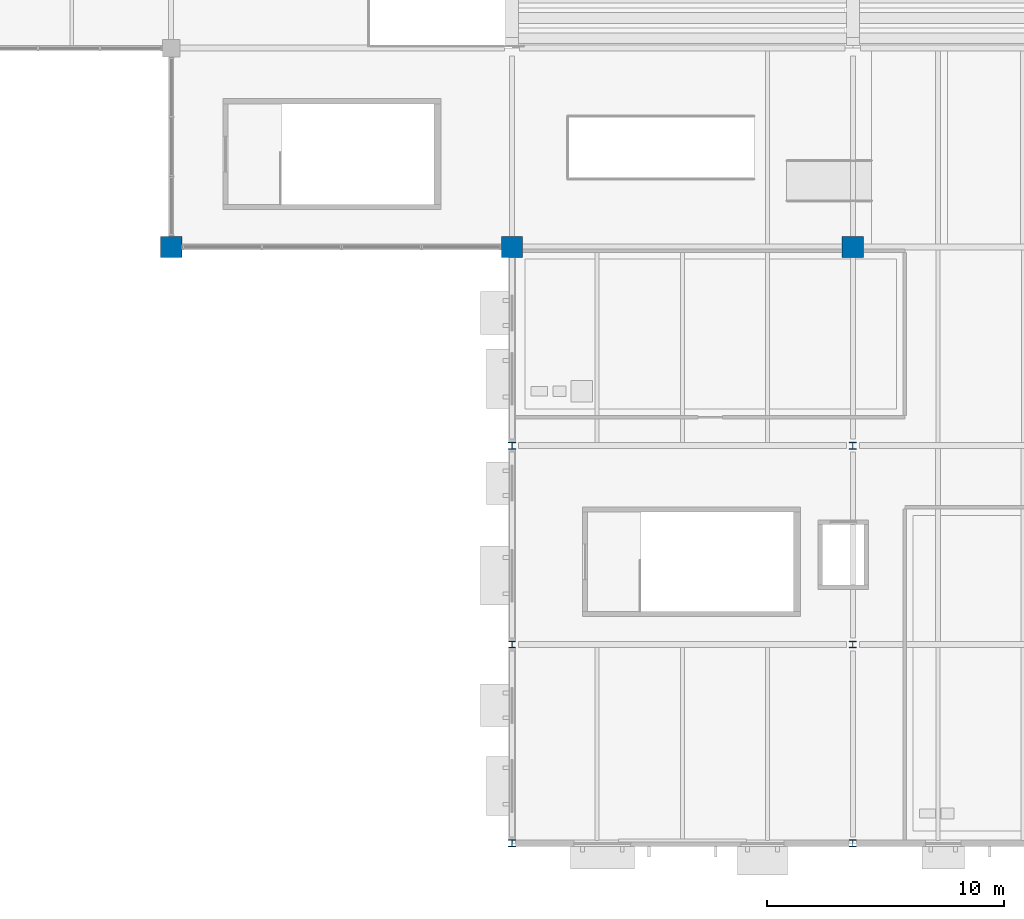
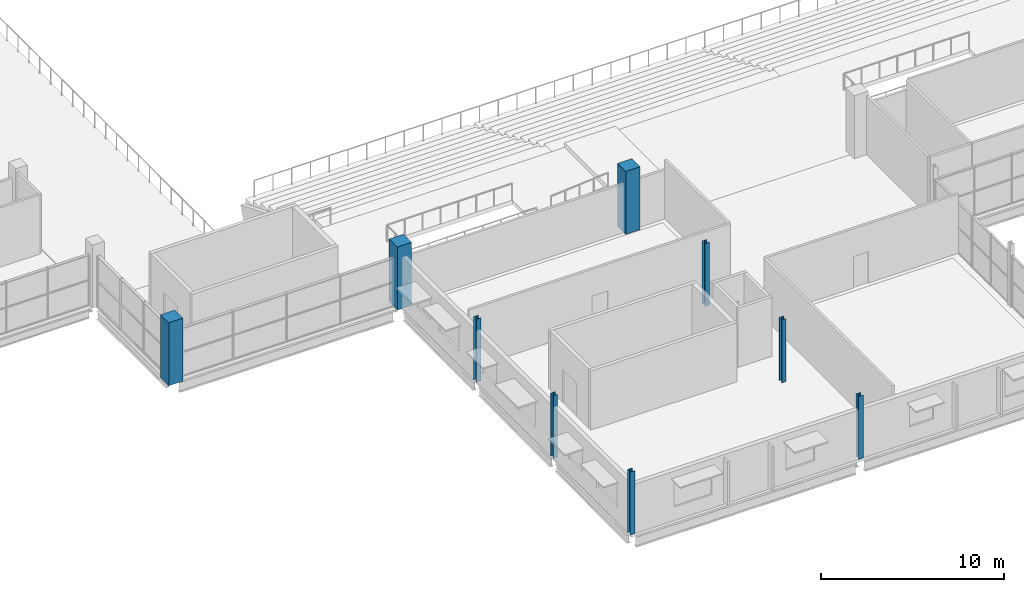
# One storey, part 1 of 161: 9 columns.
"""IFC4 building model written with IfcOpenShell, lengths in metres."""

import ifcopenshell
import ifcopenshell.guid

model = None  # the IFC model being written
_history = None  # IfcOwnerHistory: only IFC2X3 demands one
_inside = {}  # id of a spatial element -> (the spatial element, [elements in it])
_under = {}  # id of a project, library or spatial element -> (it, [spatial elements below it])
_declared = {}  # id of a project -> (the project, [libraries it declares])
_typed = {}  # id of a type object -> (the type object, [elements of that type])
_made_of = {}  # id of a material, layer set ... -> (it, [elements and type objects made of it])


def new_model(schema):
    """Start an empty IFC model of exactly this schema.

    Asked for "IFC4X3", IfcOpenShell would pick the latest addendum, in which some entities
    have other attributes; the version numbers below select the first issue.
    IFC2X3 requires an IfcOwnerHistory on every rooted entity: one is made here for all.
    """
    global model, _history
    if schema == "IFC4X3":
        model = ifcopenshell.file(schema_version=(4, 3, 0, 0))
    else:
        model = ifcopenshell.file(schema=schema)
    _inside.clear()
    _under.clear()
    _declared.clear()
    _typed.clear()
    _made_of.clear()
    _history = None
    if model.schema == "IFC2X3":
        org = make("IfcOrganization", Name="unknown")
        user = make(
            "IfcPersonAndOrganization",
            ThePerson=make("IfcPerson", FamilyName="unknown"),
            TheOrganization=org,
        )
        app = make(
            "IfcApplication",
            ApplicationDeveloper=org,
            Version="unknown",
            ApplicationFullName="unknown",
            ApplicationIdentifier="unknown",
        )
        _history = make(
            "IfcOwnerHistory",
            OwningUser=user,
            OwningApplication=app,
            ChangeAction="ADDED",
            CreationDate=0,
        )
    return model


def make(cls, **values):
    """One entity of the class cls with the attributes given. An attribute that is None is left unset."""
    return model.create_entity(
        cls, **{name: value for name, value in values.items() if value is not None}
    )


def rooted(cls, **values):
    """An entity with a GlobalId (a new one), such as an element, a storey or a relation."""
    return make(cls, GlobalId=ifcopenshell.guid.new(), OwnerHistory=_history, **values)


def si_unit(unit_type, name, prefix=None):
    """IfcSIUnit, for example si_unit("LENGTHUNIT", "METRE", prefix="MILLI")."""
    return make("IfcSIUnit", UnitType=unit_type, Prefix=prefix, Name=name)


def assignment(units):
    """IfcUnitAssignment: the units of a project."""
    return None if units is None else make("IfcUnitAssignment", Units=units)


def point(xyz):
    """IfcCartesianPoint."""
    return None if xyz is None else make("IfcCartesianPoint", Coordinates=xyz)


def direction(xyz):
    """IfcDirection."""
    return None if xyz is None else make("IfcDirection", DirectionRatios=xyz)


def frame(location, z_axis=None, x_axis=None):
    """IfcAxis2Placement3D, a coordinate frame: its origin and axes. An axis left out is left unset."""
    return make(
        "IfcAxis2Placement3D",
        Location=point(location),
        Axis=direction(z_axis),
        RefDirection=direction(x_axis),
    )


def frame_2d(location, x_axis=None):
    """IfcAxis2Placement2D, a coordinate frame in the plane: its origin and x axis."""
    return make(
        "IfcAxis2Placement2D", Location=point(location), RefDirection=direction(x_axis)
    )


def origin():
    """The frame at (0, 0, 0) with its axes left unset."""
    return frame((0.0, 0.0, 0.0))


def origin_2d():
    """The frame at (0, 0) in the plane with its x axis left unset."""
    return frame_2d((0.0, 0.0))


def place(relative_to, where):
    """IfcLocalPlacement: puts the frame where relative to a parent placement (None: the world)."""
    return make(
        "IfcLocalPlacement", PlacementRelTo=relative_to, RelativePlacement=where
    )


def context(
    kind, dimensions, precision=None, world=None, true_north=None, identifier=None
):
    """IfcGeometricRepresentationContext, for example the 3D "Model" context."""
    return make(
        "IfcGeometricRepresentationContext",
        ContextIdentifier=identifier,
        ContextType=kind,
        CoordinateSpaceDimension=dimensions,
        Precision=precision,
        WorldCoordinateSystem=world,
        TrueNorth=true_north,
    )


def subcontext(parent, identifier, kind, view, scale=None):
    """IfcGeometricRepresentationSubContext, for example "Body" below "Model"."""
    return make(
        "IfcGeometricRepresentationSubContext",
        ContextIdentifier=identifier,
        ContextType=kind,
        ParentContext=parent,
        TargetScale=scale,
        TargetView=view,
    )


def project(units=None, contexts=None):
    """IfcProject with its units and contexts."""
    return rooted(
        "IfcProject",
        Name="project",
        RepresentationContexts=contexts,
        UnitsInContext=assignment(units),
    )


def spatial(cls, under=None, at=None, **own):
    """A site, building, storey or space (cls), placed at a placement, below another one or the project."""
    s = rooted(cls, ObjectPlacement=at, **own)
    if under is not None:
        _under.setdefault(under.id(), (under, []))[1].append(s)
    return s


def profile(cls, at=None, kind="AREA", **sizes):
    """A parametric profile (cls). Its sizes go by their IFC names, for example OverallWidth=200.0."""
    return make(cls, ProfileType=kind, Position=at, **sizes)


def rectangle(**sizes):
    """IfcRectangleProfileDef."""
    return profile("IfcRectangleProfileDef", **sizes)


def i_section(**sizes):
    """IfcIShapeProfileDef."""
    return profile("IfcIShapeProfileDef", **sizes)


def extrude(swept, where, along, depth):
    """IfcExtrudedAreaSolid: the profile swept, set in the frame where, extruded along a direction by depth."""
    return make(
        "IfcExtrudedAreaSolid",
        SweptArea=swept,
        Position=where,
        ExtrudedDirection=direction(along),
        Depth=depth,
    )


def shape(context_of_items, identifier, shape_type, items):
    """IfcShapeRepresentation: the items that make up one representation, for example the "Body"."""
    return make(
        "IfcShapeRepresentation",
        ContextOfItems=context_of_items,
        RepresentationIdentifier=identifier,
        RepresentationType=shape_type,
        Items=items,
    )


def material(Name=None, Category=None):
    """IfcMaterial."""
    return make("IfcMaterial", Name=Name, Category=Category)


def material_profile(
    of_material, cross_section, Name=None, Category=None, Priority=None
):
    """IfcMaterialProfile: a cross section and its material."""
    return make(
        "IfcMaterialProfile",
        Name=Name,
        Material=of_material,
        Profile=cross_section,
        Priority=Priority,
        Category=Category,
    )


def profile_set(profiles, Name=None, composite=None):
    """IfcMaterialProfileSet."""
    return make(
        "IfcMaterialProfileSet",
        Name=Name,
        MaterialProfiles=profiles,
        CompositeProfile=composite,
    )


def made_of(thing, what):
    """Note that an element or type object is made of a material, layer set ...; save() writes the relation."""
    if what is not None:
        _made_of.setdefault(what.id(), (what, []))[1].append(thing)
    return thing


def type_object(cls, material=None, **own):
    """A type object (cls), such as IfcWallType, which elements share."""
    return made_of(rooted(cls, **own), material)


def element(
    cls,
    number,
    at=None,
    inside=None,
    cuts=None,
    type_object=None,
    material=None,
    context=None,
    identifier="Body",
    shape_type=None,
    held_by="IfcProductDefinitionShape",
    body=None,
    shapes=None,
    **own,
):
    """One element of the class cls, such as IfcWall. Its Tag is "e" and its number.

    at: its placement. inside: the storey or other place that contains it. cuts: it is an
    opening in that element (IfcRelVoidsElement). A single representation is given by context,
    identifier, shape_type and body (its items); several are given by shapes. held_by: the class
    of the entity that holds the representations. save() writes the other relations.
    """
    e = rooted(cls, Tag="e%d" % number, ObjectPlacement=at, **own)
    if body is not None:
        shapes = [shape(context, identifier, shape_type, body)]
    if shapes is not None:
        e.Representation = make(held_by, Representations=shapes)
    if inside is not None:
        _inside.setdefault(inside.id(), (inside, []))[1].append(e)
    if cuts is not None:
        rooted(
            "IfcRelVoidsElement", RelatingBuildingElement=cuts, RelatedOpeningElement=e
        )
    if type_object is not None:
        _typed.setdefault(type_object.id(), (type_object, []))[1].append(e)
    return made_of(e, material)


def aggregate(whole, parts):
    """IfcRelAggregates: a whole, such as a stair, and the parts it consists of."""
    return rooted("IfcRelAggregates", RelatingObject=whole, RelatedObjects=parts)


def save(model, path):
    """Write the relations noted so far, then the file.

    IfcRelAggregates (storeys below a building ...), IfcRelContainedInSpatialStructure (elements
    in a storey), IfcRelDefinesByType, IfcRelAssociatesMaterial and IfcRelDeclares: one each for
    every whole, place, type object, material and project.
    """
    for whole, parts in _under.values():
        aggregate(whole, parts)
    for where, things in _inside.values():
        rooted(
            "IfcRelContainedInSpatialStructure",
            RelatedElements=things,
            RelatingStructure=where,
        )
    for kind, things in _typed.values():
        rooted("IfcRelDefinesByType", RelatedObjects=things, RelatingType=kind)
    for what, things in _made_of.values():
        rooted("IfcRelAssociatesMaterial", RelatedObjects=things, RelatingMaterial=what)
    for by, libraries in _declared.values():
        rooted("IfcRelDeclares", RelatingContext=by, RelatedDefinitions=libraries)
    model.write(path)


model = new_model("IFC4")

# Units and contexts
model_context = context("Model", 3, precision=1e-05, world=origin(), true_north=direction((0.0, 1.0)))
body_context = subcontext(model_context, "Body", "Model", "MODEL_VIEW")
ifc_project = project(units=[si_unit("LENGTHUNIT", "METRE"), si_unit("AREAUNIT", "SQUARE_METRE"), si_unit("VOLUMEUNIT", "CUBIC_METRE"), si_unit("PLANEANGLEUNIT", "RADIAN"), si_unit("MASSUNIT", "GRAM", prefix="KILO"), si_unit("THERMODYNAMICTEMPERATUREUNIT", "KELVIN")], contexts=[model_context])

# Site, building, storey
site_placement = place(None, origin())
site = spatial("IfcSite", under=ifc_project, at=site_placement, CompositionType="ELEMENT")
building_placement = place(site_placement, origin())
building = spatial("IfcBuilding", under=site, at=building_placement, Name="Nduvali Passage Aquatics Centre", CompositionType="ELEMENT")
storey_placement = place(building_placement, frame((0.0, 0.0, 4.800048828125)))
storey = spatial("IfcBuildingStorey", under=building, at=storey_placement, Name="L01", CompositionType="ELEMENT", Elevation=4.800048828125)

# Columns
ifc_material_1 = material(Name="Steel S355", Category="steel")
ifc_material_profile_1 = material_profile(ifc_material_1, i_section(OverallWidth=0.280029296875, OverallDepth=0.280029296875, WebThickness=0.010498046875, FlangeThickness=0.01806640625, FilletRadius=0.02392578125, at=origin_2d()), Name="HEB 280")
ifc_profile_set_1 = profile_set([ifc_material_profile_1], Name="Steel S355")
column_type_1 = type_object("IfcColumnType", Name="STR-COL-HEB280", PredefinedType="COLUMN", material=ifc_profile_set_1)
column_1_placement = place(storey_placement, frame((54.0, 8.39990234375, 0.0), z_axis=(0.0, 0.0, 1.0), x_axis=(1.0, 0.0, 0.0)))
element("IfcColumn", 1, at=column_1_placement, inside=storey, type_object=column_type_1, Name="L01 Column C9 (54.0, 8.4)", PredefinedType="COLUMN", context=body_context, shape_type="SweptSolid", body=[
    extrude(i_section(OverallWidth=0.280029296875, OverallDepth=0.280029296875, WebThickness=0.010498046875, FlangeThickness=0.01806640625, FilletRadius=0.02392578125, at=origin_2d()), origin(), (0.0, 0.0, 1.0), 4.199951171875),
])
ifc_material_profile_2 = material_profile(ifc_material_1, i_section(OverallWidth=0.280029296875, OverallDepth=0.280029296875, WebThickness=0.010498046875, FlangeThickness=0.01806640625, FilletRadius=0.02392578125, at=origin_2d()), Name="HEB 280")
ifc_profile_set_2 = profile_set([ifc_material_profile_2], Name="Steel S355")
column_type_2 = type_object("IfcColumnType", Name="STR-COL-HEB280-EXT", PredefinedType="COLUMN", material=ifc_profile_set_2)
column_2_placement = place(storey_placement, frame((39.60009765625, 8.39990234375, 0.0), z_axis=(0.0, 0.0, 1.0), x_axis=(1.0, 0.0, 0.0)))
element("IfcColumn", 2, at=column_2_placement, inside=storey, type_object=column_type_2, Name="L01 Column C9E (39.6, 8.4)", PredefinedType="COLUMN", context=body_context, shape_type="SweptSolid", body=[
    extrude(i_section(OverallWidth=0.280029296875, OverallDepth=0.280029296875, WebThickness=0.010498046875, FlangeThickness=0.01806640625, FilletRadius=0.02392578125, at=origin_2d()), origin(), (0.0, 0.0, 1.0), 4.199951171875),
])
ifc_material_profile_3 = material_profile(ifc_material_1, i_section(OverallWidth=0.300048828125, OverallDepth=0.300048828125, WebThickness=0.010986328125, FlangeThickness=0.01904296875, FilletRadius=0.027099609375, at=origin_2d()), Name="HEB 300")
ifc_profile_set_3 = profile_set([ifc_material_profile_3], Name="Steel S355")
column_type_3 = type_object("IfcColumnType", Name="STR-COL-HEB300", PredefinedType="COLUMN", material=ifc_profile_set_3)
column_3_placement = place(storey_placement, frame((54.0, 16.800048828125, 0.0), z_axis=(0.0, 0.0, 1.0), x_axis=(1.0, 0.0, 0.0)))
element("IfcColumn", 3, at=column_3_placement, inside=storey, type_object=column_type_3, Name="L01 Column C8 (54.0, 16.8)", PredefinedType="COLUMN", context=body_context, shape_type="SweptSolid", body=[
    extrude(i_section(OverallWidth=0.300048828125, OverallDepth=0.300048828125, WebThickness=0.010986328125, FlangeThickness=0.01904296875, FilletRadius=0.027099609375, at=origin_2d()), origin(), (0.0, 0.0, 1.0), 4.199951171875),
])
ifc_material_profile_4 = material_profile(ifc_material_1, i_section(OverallWidth=0.300048828125, OverallDepth=0.300048828125, WebThickness=0.010986328125, FlangeThickness=0.01904296875, FilletRadius=0.027099609375, at=origin_2d()), Name="HEB 300")
ifc_profile_set_4 = profile_set([ifc_material_profile_4], Name="Steel S355")
column_type_4 = type_object("IfcColumnType", Name="STR-COL-HEB300-EXT", PredefinedType="COLUMN", material=ifc_profile_set_4)
for number, where, z_axis, x_axis, name in (
    (4, (39.60009765625, 0.0, 0.0), (0.0, 0.0, 1.0), (1.0, 0.0, 0.0), "L01 Column C8E (39.6, 0.0)"),
    (5, (39.60009765625, 16.800048828125, 0.0), (0.0, 0.0, 1.0), (1.0, 0.0, 0.0), "L01 Column C8E (39.6, 16.8)"),
    (6, (54.0, 0.0, 0.0), (0.0, 0.0, 1.0), (1.0, 0.0, 0.0), "L01 Column C8E (54.0, 0.0)"),
):
    element("IfcColumn", number, at=place(storey_placement, frame(where, z_axis=z_axis, x_axis=x_axis)), inside=storey, type_object=column_type_4, Name=name, PredefinedType="COLUMN", context=body_context, shape_type="SweptSolid", body=[
        extrude(i_section(OverallWidth=0.300048828125, OverallDepth=0.300048828125, WebThickness=0.010986328125, FlangeThickness=0.01904296875, FilletRadius=0.027099609375, at=origin_2d()), origin(), (0.0, 0.0, 1.0), 4.199951171875),
    ])
ifc_material_2 = material(Name="Concrete C40/50", Category="concrete")
ifc_material_profile_5 = material_profile(ifc_material_2, rectangle(XDim=0.89990234375, YDim=0.89990234375, at=origin_2d()), Name="RC 900x900")
ifc_profile_set_5 = profile_set([ifc_material_profile_5], Name="Concrete C40/50")
column_type_5 = type_object("IfcColumnType", Name="STR-COL-RC900-EXT", PredefinedType="COLUMN", material=ifc_profile_set_5)
for number, where, z_axis, x_axis, name in (
    (7, (25.199951171875, 25.199951171875, 0.0), (0.0, 0.0, 1.0), (1.0, 0.0, 0.0), "L01 Column C1E (25.2, 25.2)"),
    (8, (39.60009765625, 25.199951171875, 0.0), (0.0, 0.0, 1.0), (1.0, 0.0, 0.0), "L01 Column C1E (39.6, 25.2)"),
    (9, (54.0, 25.199951171875, 0.0), (0.0, 0.0, 1.0), (1.0, 0.0, 0.0), "L01 Column C1E (54.0, 25.2)"),
):
    element("IfcColumn", number, at=place(storey_placement, frame(where, z_axis=z_axis, x_axis=x_axis)), inside=storey, type_object=column_type_5, Name=name, PredefinedType="COLUMN", context=body_context, shape_type="SweptSolid", body=[
        extrude(rectangle(XDim=0.89990234375, YDim=0.89990234375, at=origin_2d()), origin(), (0.0, 0.0, 1.0), 4.199951171875),
    ])

save(model, "model.ifc")
